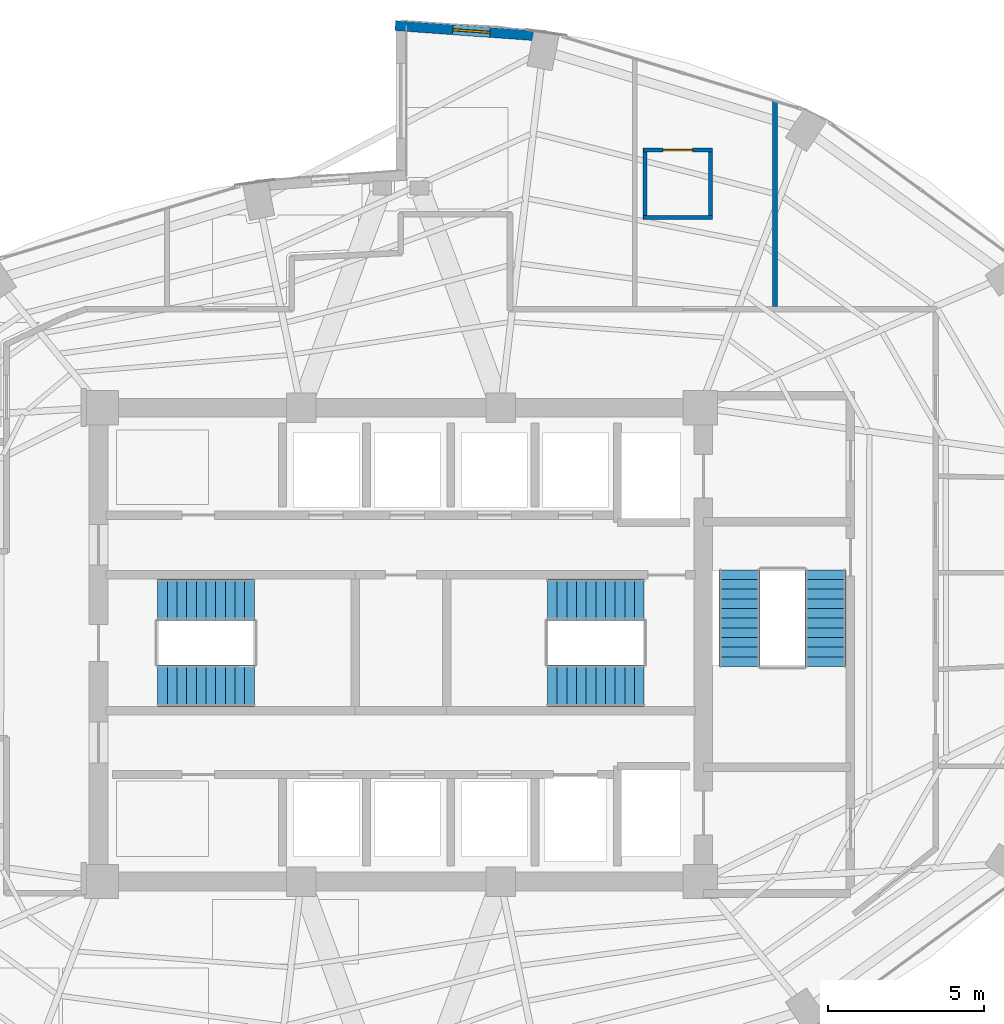
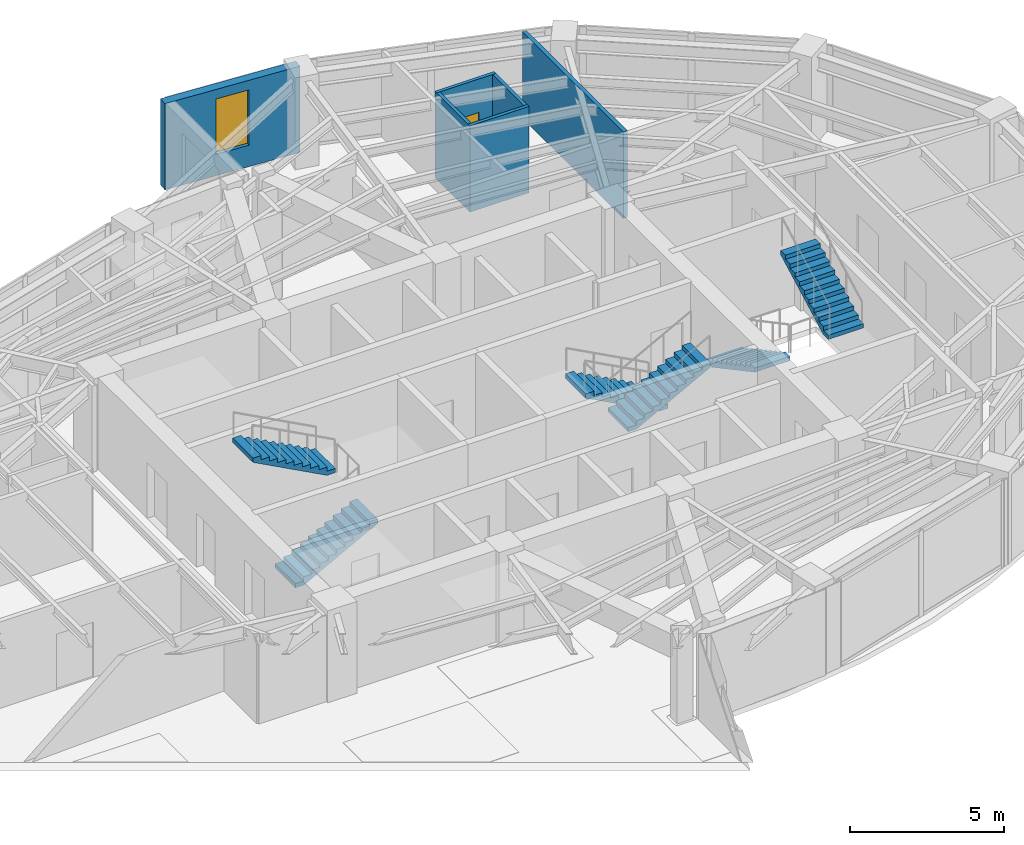
# One storey, part 18 of 20: 6 stair flights, 6 walls, 1 door, 1 window, 2 openings, 3 elements without a shape of their own.
"""IFC4 building model written with IfcOpenShell, lengths in metres."""

import ifcopenshell
import ifcopenshell.guid

model = None  # the IFC model being written
_history = None  # IfcOwnerHistory: only IFC2X3 demands one
_inside = {}  # id of a spatial element -> (the spatial element, [elements in it])
_under = {}  # id of a project, library or spatial element -> (it, [spatial elements below it])
_declared = {}  # id of a project -> (the project, [libraries it declares])
_typed = {}  # id of a type object -> (the type object, [elements of that type])
_made_of = {}  # id of a material, layer set ... -> (it, [elements and type objects made of it])


def new_model(schema):
    """Start an empty IFC model of exactly this schema.

    Asked for "IFC4X3", IfcOpenShell would pick the latest addendum, in which some entities
    have other attributes; the version numbers below select the first issue.
    IFC2X3 requires an IfcOwnerHistory on every rooted entity: one is made here for all.
    """
    global model, _history
    if schema == "IFC4X3":
        model = ifcopenshell.file(schema_version=(4, 3, 0, 0))
    else:
        model = ifcopenshell.file(schema=schema)
    _inside.clear()
    _under.clear()
    _declared.clear()
    _typed.clear()
    _made_of.clear()
    _history = None
    if model.schema == "IFC2X3":
        org = make("IfcOrganization", Name="unknown")
        user = make(
            "IfcPersonAndOrganization",
            ThePerson=make("IfcPerson", FamilyName="unknown"),
            TheOrganization=org,
        )
        app = make(
            "IfcApplication",
            ApplicationDeveloper=org,
            Version="unknown",
            ApplicationFullName="unknown",
            ApplicationIdentifier="unknown",
        )
        _history = make(
            "IfcOwnerHistory",
            OwningUser=user,
            OwningApplication=app,
            ChangeAction="ADDED",
            CreationDate=0,
        )
    return model


def make(cls, **values):
    """One entity of the class cls with the attributes given. An attribute that is None is left unset."""
    return model.create_entity(
        cls, **{name: value for name, value in values.items() if value is not None}
    )


def rooted(cls, **values):
    """An entity with a GlobalId (a new one), such as an element, a storey or a relation."""
    return make(cls, GlobalId=ifcopenshell.guid.new(), OwnerHistory=_history, **values)


def si_unit(unit_type, name, prefix=None):
    """IfcSIUnit, for example si_unit("LENGTHUNIT", "METRE", prefix="MILLI")."""
    return make("IfcSIUnit", UnitType=unit_type, Prefix=prefix, Name=name)


def assignment(units):
    """IfcUnitAssignment: the units of a project."""
    return None if units is None else make("IfcUnitAssignment", Units=units)


def point(xyz):
    """IfcCartesianPoint."""
    return None if xyz is None else make("IfcCartesianPoint", Coordinates=xyz)


def direction(xyz):
    """IfcDirection."""
    return None if xyz is None else make("IfcDirection", DirectionRatios=xyz)


def frame(location, z_axis=None, x_axis=None):
    """IfcAxis2Placement3D, a coordinate frame: its origin and axes. An axis left out is left unset."""
    return make(
        "IfcAxis2Placement3D",
        Location=point(location),
        Axis=direction(z_axis),
        RefDirection=direction(x_axis),
    )


def frame_2d(location, x_axis=None):
    """IfcAxis2Placement2D, a coordinate frame in the plane: its origin and x axis."""
    return make(
        "IfcAxis2Placement2D", Location=point(location), RefDirection=direction(x_axis)
    )


def origin():
    """The frame at (0, 0, 0) with its axes left unset."""
    return frame((0.0, 0.0, 0.0))


def place(relative_to, where):
    """IfcLocalPlacement: puts the frame where relative to a parent placement (None: the world)."""
    return make(
        "IfcLocalPlacement", PlacementRelTo=relative_to, RelativePlacement=where
    )


def context(
    kind, dimensions, precision=None, world=None, true_north=None, identifier=None
):
    """IfcGeometricRepresentationContext, for example the 3D "Model" context."""
    return make(
        "IfcGeometricRepresentationContext",
        ContextIdentifier=identifier,
        ContextType=kind,
        CoordinateSpaceDimension=dimensions,
        Precision=precision,
        WorldCoordinateSystem=world,
        TrueNorth=true_north,
    )


def subcontext(parent, identifier, kind, view, scale=None):
    """IfcGeometricRepresentationSubContext, for example "Body" below "Model"."""
    return make(
        "IfcGeometricRepresentationSubContext",
        ContextIdentifier=identifier,
        ContextType=kind,
        ParentContext=parent,
        TargetScale=scale,
        TargetView=view,
    )


def project(units=None, contexts=None):
    """IfcProject with its units and contexts."""
    return rooted(
        "IfcProject",
        Name="project",
        RepresentationContexts=contexts,
        UnitsInContext=assignment(units),
    )


def spatial(cls, under=None, at=None, **own):
    """A site, building, storey or space (cls), placed at a placement, below another one or the project."""
    s = rooted(cls, ObjectPlacement=at, **own)
    if under is not None:
        _under.setdefault(under.id(), (under, []))[1].append(s)
    return s


def polyline(points):
    """IfcPolyline through the points."""
    return make("IfcPolyline", Points=[point(p) for p in points])


def profile(cls, at=None, kind="AREA", **sizes):
    """A parametric profile (cls). Its sizes go by their IFC names, for example OverallWidth=200.0."""
    return make(cls, ProfileType=kind, Position=at, **sizes)


def rectangle(**sizes):
    """IfcRectangleProfileDef."""
    return profile("IfcRectangleProfileDef", **sizes)


def outline(outer, holes=None, kind="AREA"):
    """IfcArbitraryClosedProfileDef: a profile drawn as a closed curve; with holes, ...WithVoids."""
    if holes is None:
        return make("IfcArbitraryClosedProfileDef", ProfileType=kind, OuterCurve=outer)
    return make(
        "IfcArbitraryProfileDefWithVoids",
        ProfileType=kind,
        OuterCurve=outer,
        InnerCurves=holes,
    )


def extrude(swept, where, along, depth):
    """IfcExtrudedAreaSolid: the profile swept, set in the frame where, extruded along a direction by depth."""
    return make(
        "IfcExtrudedAreaSolid",
        SweptArea=swept,
        Position=where,
        ExtrudedDirection=direction(along),
        Depth=depth,
    )


def shape(context_of_items, identifier, shape_type, items):
    """IfcShapeRepresentation: the items that make up one representation, for example the "Body"."""
    return make(
        "IfcShapeRepresentation",
        ContextOfItems=context_of_items,
        RepresentationIdentifier=identifier,
        RepresentationType=shape_type,
        Items=items,
    )


def material(Name=None, Category=None):
    """IfcMaterial."""
    return make("IfcMaterial", Name=Name, Category=Category)


def layer(
    of_material, thickness, ventilated=None, Name=None, Category=None, Priority=None
):
    """IfcMaterialLayer: one layer of a wall or slab, of a material (None: an air gap)."""
    return make(
        "IfcMaterialLayer",
        Material=of_material,
        LayerThickness=thickness,
        IsVentilated=ventilated,
        Name=Name,
        Category=Category,
        Priority=Priority,
    )


def layer_set(layers, Name=None):
    """IfcMaterialLayerSet."""
    return make("IfcMaterialLayerSet", MaterialLayers=layers, LayerSetName=Name)


def made_of(thing, what):
    """Note that an element or type object is made of a material, layer set ...; save() writes the relation."""
    if what is not None:
        _made_of.setdefault(what.id(), (what, []))[1].append(thing)
    return thing


def type_object(cls, material=None, **own):
    """A type object (cls), such as IfcWallType, which elements share."""
    return made_of(rooted(cls, **own), material)


def element(
    cls,
    number,
    at=None,
    inside=None,
    cuts=None,
    type_object=None,
    material=None,
    context=None,
    identifier="Body",
    shape_type=None,
    held_by="IfcProductDefinitionShape",
    body=None,
    shapes=None,
    **own,
):
    """One element of the class cls, such as IfcWall. Its Tag is "e" and its number.

    at: its placement. inside: the storey or other place that contains it. cuts: it is an
    opening in that element (IfcRelVoidsElement). A single representation is given by context,
    identifier, shape_type and body (its items); several are given by shapes. held_by: the class
    of the entity that holds the representations. save() writes the other relations.
    """
    e = rooted(cls, Tag="e%d" % number, ObjectPlacement=at, **own)
    if body is not None:
        shapes = [shape(context, identifier, shape_type, body)]
    if shapes is not None:
        e.Representation = make(held_by, Representations=shapes)
    if inside is not None:
        _inside.setdefault(inside.id(), (inside, []))[1].append(e)
    if cuts is not None:
        rooted(
            "IfcRelVoidsElement", RelatingBuildingElement=cuts, RelatedOpeningElement=e
        )
    if type_object is not None:
        _typed.setdefault(type_object.id(), (type_object, []))[1].append(e)
    return made_of(e, material)


def fill(opening, filler):
    """IfcRelFillsElement: the door or window that sits in an opening."""
    return rooted(
        "IfcRelFillsElement",
        RelatingOpeningElement=opening,
        RelatedBuildingElement=filler,
    )


def aggregate(whole, parts):
    """IfcRelAggregates: a whole, such as a stair, and the parts it consists of."""
    return rooted("IfcRelAggregates", RelatingObject=whole, RelatedObjects=parts)


def save(model, path):
    """Write the relations noted so far, then the file.

    IfcRelAggregates (storeys below a building ...), IfcRelContainedInSpatialStructure (elements
    in a storey), IfcRelDefinesByType, IfcRelAssociatesMaterial and IfcRelDeclares: one each for
    every whole, place, type object, material and project.
    """
    for whole, parts in _under.values():
        aggregate(whole, parts)
    for where, things in _inside.values():
        rooted(
            "IfcRelContainedInSpatialStructure",
            RelatedElements=things,
            RelatingStructure=where,
        )
    for kind, things in _typed.values():
        rooted("IfcRelDefinesByType", RelatedObjects=things, RelatingType=kind)
    for what, things in _made_of.values():
        rooted("IfcRelAssociatesMaterial", RelatedObjects=things, RelatingMaterial=what)
    for by, libraries in _declared.values():
        rooted("IfcRelDeclares", RelatingContext=by, RelatedDefinitions=libraries)
    model.write(path)


model = new_model("IFC4")

# Units and contexts
model_context = context("Model", 3, precision=1e-05, world=origin(), true_north=direction((0.0, 1.0)))
body_context = subcontext(model_context, "Body", "Model", "MODEL_VIEW")
ifc_project = project(units=[si_unit("LENGTHUNIT", "METRE"), si_unit("AREAUNIT", "SQUARE_METRE"), si_unit("VOLUMEUNIT", "CUBIC_METRE"), si_unit("PLANEANGLEUNIT", "RADIAN"), si_unit("MASSUNIT", "GRAM", prefix="KILO")], contexts=[model_context])

# Site, building, storey
site_placement = place(None, origin())
site = spatial("IfcSite", under=ifc_project, at=site_placement, CompositionType="ELEMENT")
building_placement = place(site_placement, origin())
building = spatial("IfcBuilding", under=site, at=building_placement, Name="Lazwardi Medical Tower", CompositionType="ELEMENT")
storey_placement = place(building_placement, frame((0.0, 0.0, 145.583984375)))
storey = spatial("IfcBuildingStorey", under=building, at=storey_placement, Name="L37", CompositionType="ELEMENT", Elevation=145.583984375)

# Wall, opening, door
ifc_material_1 = material(Name="Moisture-resistant gypsum board partition")
ifc_layer_1 = layer(ifc_material_1, 0.125)
ifc_layer_set_1 = layer_set([ifc_layer_1], Name="Moisture-resistant gypsum board partition")
wall_type_1 = type_object("IfcWallType", Name="WL-ENS-125", PredefinedType="PARTITIONING", material=ifc_layer_set_1)
wall_1_placement = place(storey_placement, frame((43.77490234375, 43.86083984375, 0.0), z_axis=(0.0, 0.0, 1.0), x_axis=(1.0, 0.0, 0.0)))
wall_1 = element("IfcWall", 1, at=wall_1_placement, inside=storey, type_object=wall_type_1, Name="L37 En-suite wall 7N", PredefinedType="PARTITIONING", context=body_context, shape_type="SweptSolid", body=[
    extrude(rectangle(XDim=2.22021484375, YDim=0.125, at=frame_2d((1.110107421875, 0.0))), origin(), (0.0, 0.0, 1.0), 3.427978515625),
])
opening_1_placement = place(wall_1_placement, frame((0.635009765625, 0.0, 0.0)))
opening_1 = element("IfcOpeningElement", 2, at=opening_1_placement, cuts=wall_1, Name="Opening D-L37-003", PredefinedType="OPENING", context=body_context, shape_type="SweptSolid", body=[
    extrude(rectangle(XDim=0.949951171875, YDim=2.10009765625, at=frame_2d((0.47509765625, 1.050048828125))), frame((0.0, 0.072509765625, 0.0), z_axis=(0.0, -1.0, 0.0), x_axis=(1.0, 0.0, 0.0)), (0.0, 0.0, 1.0), 0.14501953125),
])
ifc_material_2 = material(Name="Moisture-resistant laminate door leaf")
door_type = type_object("IfcDoorType", Name="DR-ENS-950", OperationType="NOTDEFINED", PredefinedType="DOOR", material=ifc_material_2)
door_placement = place(opening_1_placement, origin())
door = element("IfcDoor", 3, at=door_placement, inside=storey, type_object=door_type, Name="L37 En-suite Door 07", OperationType="SINGLE_SWING_RIGHT", OverallHeight=2.10009765625, OverallWidth=0.949951171875, PredefinedType="DOOR", context=body_context, shape_type="SweptSolid", body=[
    extrude(rectangle(XDim=0.949951171875, YDim=2.10009765625, at=frame_2d((0.47509765625, 1.050048828125))), frame((0.0, 0.02490234375, 0.0), z_axis=(0.0, -1.0, 0.0), x_axis=(1.0, 0.0, 0.0)), (0.0, 0.0, 1.0), 0.050048828125),
])
fill(opening_1, door)

# Walls
wall_2_placement = place(storey_placement, frame((43.77490234375, 41.70068359375, 0.0), z_axis=(0.0, 0.0, 1.0), x_axis=(1.0, 0.0, 0.0)))
element("IfcWall", 4, at=wall_2_placement, inside=storey, type_object=wall_type_1, Name="L37 En-suite wall 7S", PredefinedType="PARTITIONING", context=body_context, shape_type="SweptSolid", body=[
    extrude(rectangle(XDim=2.22021484375, YDim=0.125, at=frame_2d((1.110107421875, 0.0))), origin(), (0.0, 0.0, 1.0), 3.427978515625),
])
for number, where, z_axis, x_axis, name in (
    (5, (45.93505859375, 41.640869140625, 0.0), (0.0, 0.0, 1.0), (0.0, 1.0, 0.0), "L37 En-suite wall 7E"),
    (6, (43.8349609375, 41.640869140625, 0.0), (0.0, 0.0, 1.0), (0.0, 1.0, 0.0), "L37 En-suite wall 7W"),
):
    element("IfcWall", number, at=place(storey_placement, frame(where, z_axis=z_axis, x_axis=x_axis)), inside=storey, type_object=wall_type_1, Name=name, PredefinedType="PARTITIONING", context=body_context, shape_type="SweptSolid", body=[
        extrude(rectangle(XDim=2.280029296875, YDim=0.125, at=frame_2d((1.14013671875, 0.0))), origin(), (0.0, 0.0, 1.0), 3.427978515625),
    ])

# Wall, opening, window
ifc_material_3 = material(Name="Precast concrete C45/55", Category="concrete")
ifc_layer_2 = layer(ifc_material_3, 0.320068359375)
ifc_layer_set_2 = layer_set([ifc_layer_2], Name="Precast concrete C45/55")
wall_type_2 = type_object("IfcWallType", Name="WL-IWAN-320", PredefinedType="SOLIDWALL", material=ifc_layer_set_2)
wall_3_placement = place(storey_placement, frame((40.700927734375, 47.501220703125, 0.0), z_axis=(0.0, 0.0, 1.0), x_axis=(-0.997415460462, 0.071849838072, 0.0)))
wall_3 = element("IfcWall", 7, at=wall_3_placement, inside=storey, type_object=wall_type_2, Name="L37 Iwan Portal Return Wall NE_ret", PredefinedType="SOLIDWALL", context=body_context, shape_type="SweptSolid", body=[
    extrude(rectangle(XDim=4.89306640625, YDim=0.320068359375, at=frame_2d((2.446533203125, 0.0))), origin(), (0.0, 0.0, 1.0), 3.427978515625),
])
opening_2_placement = place(wall_3_placement, frame((1.846435546875, 0.0, 0.85009765625)))
opening_2 = element("IfcOpeningElement", 8, at=opening_2_placement, cuts=wall_3, Name="Opening WN-01", PredefinedType="OPENING", context=body_context, shape_type="SweptSolid", body=[
    extrude(rectangle(XDim=1.199951171875, YDim=2.199951171875, at=frame_2d((0.60009765625, 1.10009765625))), frame((0.0, 0.169921875, 0.0), z_axis=(0.0, -1.0, 0.0), x_axis=(1.0, 0.0, 0.0)), (0.0, 0.0, 1.0), 0.340087890625),
])
ifc_material_4 = material(Name="Low-e bronze solar control double glazing", Category="glass")
window_type = type_object("IfcWindowType", Name="WIN-IW-1200", PartitioningType="SINGLE_PANEL", PredefinedType="WINDOW", material=ifc_material_4)
window_placement = place(opening_2_placement, origin())
window = element("IfcWindow", 9, at=window_placement, inside=storey, type_object=window_type, Name="L37 Iwan Slot Window NE_ret", OverallHeight=2.199951171875, OverallWidth=1.199951171875, PartitioningType="SINGLE_PANEL", PredefinedType="WINDOW", context=body_context, shape_type="SweptSolid", body=[
    extrude(rectangle(XDim=1.199951171875, YDim=2.199951171875, at=frame_2d((0.60009765625, 1.10009765625))), frame((0.0, 0.030029296875, 0.0), z_axis=(0.0, -1.0, 0.0), x_axis=(1.0, 0.0, 0.0)), (0.0, 0.0, 1.0), 0.06005859375),
])
fill(opening_2, window)

# Wall
ifc_material_5 = material(Name="Acoustic gypsum board partition")
ifc_layer_3 = layer(ifc_material_5, 0.14990234375)
ifc_layer_set_3 = layer_set([ifc_layer_3], Name="Acoustic gypsum board partition")
wall_type_3 = type_object("IfcWallType", Name="WL-WRD-150", PredefinedType="PARTITIONING", material=ifc_layer_set_3)
wall_4_placement = place(storey_placement, frame((48.0, 38.840087890625, 0.0), z_axis=(0.0, 0.0, 1.0), x_axis=(0.0, 1.0, 0.0)))
element("IfcWall", 10, at=wall_4_placement, inside=storey, type_object=wall_type_3, Name="L37 Room partition 9", PredefinedType="PARTITIONING", context=body_context, shape_type="SweptSolid", body=[
    extrude(rectangle(XDim=6.57763671875, YDim=0.14990234375, at=frame_2d((3.288818359375, 0.0))), origin(), (0.0, 0.0, 1.0), 3.427978515625),
])

# Stair, stair flights
ifc_material_6 = material(Name="Concrete C45/55", Category="concrete")
stair_type = type_object("IfcStairType", Name="STR-WRD", PredefinedType="HALF_TURN_STAIR", material=ifc_material_6)
stair_1_placement = place(storey_placement, origin())
stair_1 = element("IfcStair", 11, at=stair_1_placement, inside=storey, type_object=stair_type, Name="L37 Protected Exit Stair ST1", PredefinedType="HALF_TURN_STAIR")
stair_flight_type = type_object("IfcStairFlightType", Name="FLT-WRD", PredefinedType="STRAIGHT", material=ifc_material_6)
stair_flight_1_placement = place(storey_placement, frame((28.199951171875, 26.679931640625, 0.0), z_axis=(0.0, 0.0, 1.0), x_axis=(1.0, 0.0, 0.0)))
stair_flight_1 = element("IfcStairFlight", 12, at=stair_flight_1_placement, type_object=stair_flight_type, Name="ST1 flight 1", NumberOfRisers=11, NumberOfTreads=10, PredefinedType="STRAIGHT", RiserHeight=0.165818182, TreadLength=0.31, context=body_context, shape_type="SweptSolid", body=[
    extrude(outline(polyline([(0.0, 0.0), (0.0, 0.165771484375), (0.31005859375, 0.165771484375), (0.31005859375, 0.33154296875), (0.6201171875, 0.33154296875), (0.6201171875, 0.49755859375), (0.929931640625, 0.49755859375), (0.929931640625, 0.663330078125), (1.239990234375, 0.663330078125), (1.239990234375, 0.8291015625), (1.550048828125, 0.8291015625), (1.550048828125, 0.994873046875), (1.860107421875, 0.994873046875), (1.860107421875, 1.16064453125), (2.169921875, 1.16064453125), (2.169921875, 1.32666015625), (2.47998046875, 1.32666015625), (2.47998046875, 1.492431640625), (2.7900390625, 1.492431640625), (2.7900390625, 1.658203125), (3.10009765625, 1.658203125), (3.10009765625, 1.823974609375), (3.10009765625, 1.48828125), (0.31787109375, 0.0), (0.0, 0.0)])), frame((0.0, 0.66015625, 0.0), z_axis=(0.0, -1.0, 0.0), x_axis=(1.0, 0.0, 0.0)), (0.0, 0.0, 1.0), 1.320068359375),
])
stair_flight_2_placement = place(storey_placement, frame((31.300048828125, 29.43994140625, 1.823974609375), z_axis=(0.0, 0.0, 1.0), x_axis=(-1.0, 0.0, 0.0)))
stair_flight_2 = element("IfcStairFlight", 13, at=stair_flight_2_placement, type_object=stair_flight_type, Name="ST1 flight 2", NumberOfRisers=11, NumberOfTreads=10, PredefinedType="STRAIGHT", RiserHeight=0.165818182, TreadLength=0.31, context=body_context, shape_type="SweptSolid", body=[
    extrude(outline(polyline([(0.0, 0.0), (0.0, 0.165771484375), (0.31005859375, 0.165771484375), (0.31005859375, 0.33154296875), (0.6201171875, 0.33154296875), (0.6201171875, 0.49755859375), (0.929931640625, 0.49755859375), (0.929931640625, 0.663330078125), (1.239990234375, 0.663330078125), (1.239990234375, 0.8291015625), (1.550048828125, 0.8291015625), (1.550048828125, 0.994873046875), (1.860107421875, 0.994873046875), (1.860107421875, 1.16064453125), (2.169921875, 1.16064453125), (2.169921875, 1.32666015625), (2.47998046875, 1.32666015625), (2.47998046875, 1.492431640625), (2.7900390625, 1.492431640625), (2.7900390625, 1.658203125), (3.10009765625, 1.658203125), (3.10009765625, 1.823974609375), (3.10009765625, 1.48828125), (0.31787109375, 0.0), (0.0, 0.0)])), frame((0.0, 0.66015625, 0.0), z_axis=(0.0, -1.0, 0.0), x_axis=(1.0, 0.0, 0.0)), (0.0, 0.0, 1.0), 1.320068359375),
])
aggregate(stair_1, [stair_flight_1, stair_flight_2])

stair_2_placement = place(storey_placement, origin())
stair_2 = element("IfcStair", 14, at=stair_2_placement, inside=storey, type_object=stair_type, Name="L37 Protected Exit Stair ST2", PredefinedType="HALF_TURN_STAIR")
stair_flight_3_placement = place(storey_placement, frame((43.800048828125, 29.43994140625, 0.0), z_axis=(0.0, 0.0, 1.0), x_axis=(-1.0, 0.0, 0.0)))
stair_flight_3 = element("IfcStairFlight", 15, at=stair_flight_3_placement, type_object=stair_flight_type, Name="ST2 flight 1", NumberOfRisers=11, NumberOfTreads=10, PredefinedType="STRAIGHT", RiserHeight=0.165818182, TreadLength=0.31, context=body_context, shape_type="SweptSolid", body=[
    extrude(outline(polyline([(0.0, 0.0), (0.0, 0.165771484375), (0.31005859375, 0.165771484375), (0.31005859375, 0.33154296875), (0.6201171875, 0.33154296875), (0.6201171875, 0.49755859375), (0.929931640625, 0.49755859375), (0.929931640625, 0.663330078125), (1.239990234375, 0.663330078125), (1.239990234375, 0.8291015625), (1.550048828125, 0.8291015625), (1.550048828125, 0.994873046875), (1.860107421875, 0.994873046875), (1.860107421875, 1.16064453125), (2.169921875, 1.16064453125), (2.169921875, 1.32666015625), (2.47998046875, 1.32666015625), (2.47998046875, 1.492431640625), (2.7900390625, 1.492431640625), (2.7900390625, 1.658203125), (3.10009765625, 1.658203125), (3.10009765625, 1.823974609375), (3.10009765625, 1.48828125), (0.31787109375, 0.0), (0.0, 0.0)])), frame((0.0, 0.66015625, 0.0), z_axis=(0.0, -1.0, 0.0), x_axis=(1.0, 0.0, 0.0)), (0.0, 0.0, 1.0), 1.320068359375),
])
stair_flight_4_placement = place(storey_placement, frame((40.699951171875, 26.679931640625, 1.823974609375), z_axis=(0.0, 0.0, 1.0), x_axis=(1.0, 0.0, 0.0)))
stair_flight_4 = element("IfcStairFlight", 16, at=stair_flight_4_placement, type_object=stair_flight_type, Name="ST2 flight 2", NumberOfRisers=11, NumberOfTreads=10, PredefinedType="STRAIGHT", RiserHeight=0.165818182, TreadLength=0.31, context=body_context, shape_type="SweptSolid", body=[
    extrude(outline(polyline([(0.0, 0.0), (0.0, 0.165771484375), (0.31005859375, 0.165771484375), (0.31005859375, 0.33154296875), (0.6201171875, 0.33154296875), (0.6201171875, 0.49755859375), (0.929931640625, 0.49755859375), (0.929931640625, 0.663330078125), (1.239990234375, 0.663330078125), (1.239990234375, 0.8291015625), (1.550048828125, 0.8291015625), (1.550048828125, 0.994873046875), (1.860107421875, 0.994873046875), (1.860107421875, 1.16064453125), (2.169921875, 1.16064453125), (2.169921875, 1.32666015625), (2.47998046875, 1.32666015625), (2.47998046875, 1.492431640625), (2.7900390625, 1.492431640625), (2.7900390625, 1.658203125), (3.10009765625, 1.658203125), (3.10009765625, 1.823974609375), (3.10009765625, 1.48828125), (0.31787109375, 0.0), (0.0, 0.0)])), frame((0.0, 0.66015625, 0.0), z_axis=(0.0, -1.0, 0.0), x_axis=(1.0, 0.0, 0.0)), (0.0, 0.0, 1.0), 1.320068359375),
])
aggregate(stair_2, [stair_flight_3, stair_flight_4])

stair_3_placement = place(storey_placement, origin())
stair_3 = element("IfcStair", 17, at=stair_3_placement, inside=storey, type_object=stair_type, Name="L37 Protected Exit Stair ST3", PredefinedType="HALF_TURN_STAIR")
stair_flight_5_placement = place(storey_placement, frame((46.860107421875, 30.39990234375, 0.0), z_axis=(0.0, 0.0, 1.0), x_axis=(0.0, -1.0, 0.0)))
stair_flight_5 = element("IfcStairFlight", 18, at=stair_flight_5_placement, type_object=stair_flight_type, Name="ST3 flight 1", NumberOfRisers=11, NumberOfTreads=10, PredefinedType="STRAIGHT", RiserHeight=0.165818182, TreadLength=0.31, context=body_context, shape_type="SweptSolid", body=[
    extrude(outline(polyline([(0.0, 0.0), (0.0, 0.165771484375), (0.31005859375, 0.165771484375), (0.31005859375, 0.33154296875), (0.6201171875, 0.33154296875), (0.6201171875, 0.49755859375), (0.929931640625, 0.49755859375), (0.929931640625, 0.663330078125), (1.239990234375, 0.663330078125), (1.239990234375, 0.8291015625), (1.550048828125, 0.8291015625), (1.550048828125, 0.994873046875), (1.860107421875, 0.994873046875), (1.860107421875, 1.16064453125), (2.169921875, 1.16064453125), (2.169921875, 1.32666015625), (2.47998046875, 1.32666015625), (2.47998046875, 1.492431640625), (2.7900390625, 1.492431640625), (2.7900390625, 1.658203125), (3.10009765625, 1.658203125), (3.10009765625, 1.823974609375), (3.10009765625, 1.48828125), (0.31787109375, 0.0), (0.0, 0.0)])), frame((0.0, 0.66015625, 0.0), z_axis=(0.0, -1.0, 0.0), x_axis=(1.0, 0.0, 0.0)), (0.0, 0.0, 1.0), 1.320068359375),
])
stair_flight_6_placement = place(storey_placement, frame((49.6201171875, 27.300048828125, 1.823974609375), z_axis=(0.0, 0.0, 1.0), x_axis=(0.0, 1.0, 0.0)))
stair_flight_6 = element("IfcStairFlight", 19, at=stair_flight_6_placement, type_object=stair_flight_type, Name="ST3 flight 2", NumberOfRisers=11, NumberOfTreads=10, PredefinedType="STRAIGHT", RiserHeight=0.165818182, TreadLength=0.31, context=body_context, shape_type="SweptSolid", body=[
    extrude(outline(polyline([(0.0, 0.0), (0.0, 0.165771484375), (0.31005859375, 0.165771484375), (0.31005859375, 0.33154296875), (0.6201171875, 0.33154296875), (0.6201171875, 0.49755859375), (0.929931640625, 0.49755859375), (0.929931640625, 0.663330078125), (1.239990234375, 0.663330078125), (1.239990234375, 0.8291015625), (1.550048828125, 0.8291015625), (1.550048828125, 0.994873046875), (1.860107421875, 0.994873046875), (1.860107421875, 1.16064453125), (2.169921875, 1.16064453125), (2.169921875, 1.32666015625), (2.47998046875, 1.32666015625), (2.47998046875, 1.492431640625), (2.7900390625, 1.492431640625), (2.7900390625, 1.658203125), (3.10009765625, 1.658203125), (3.10009765625, 1.823974609375), (3.10009765625, 1.48828125), (0.31787109375, 0.0), (0.0, 0.0)])), frame((0.0, 0.66015625, 0.0), z_axis=(0.0, -1.0, 0.0), x_axis=(1.0, 0.0, 0.0)), (0.0, 0.0, 1.0), 1.320068359375),
])
aggregate(stair_3, [stair_flight_5, stair_flight_6])

save(model, "model.ifc")
